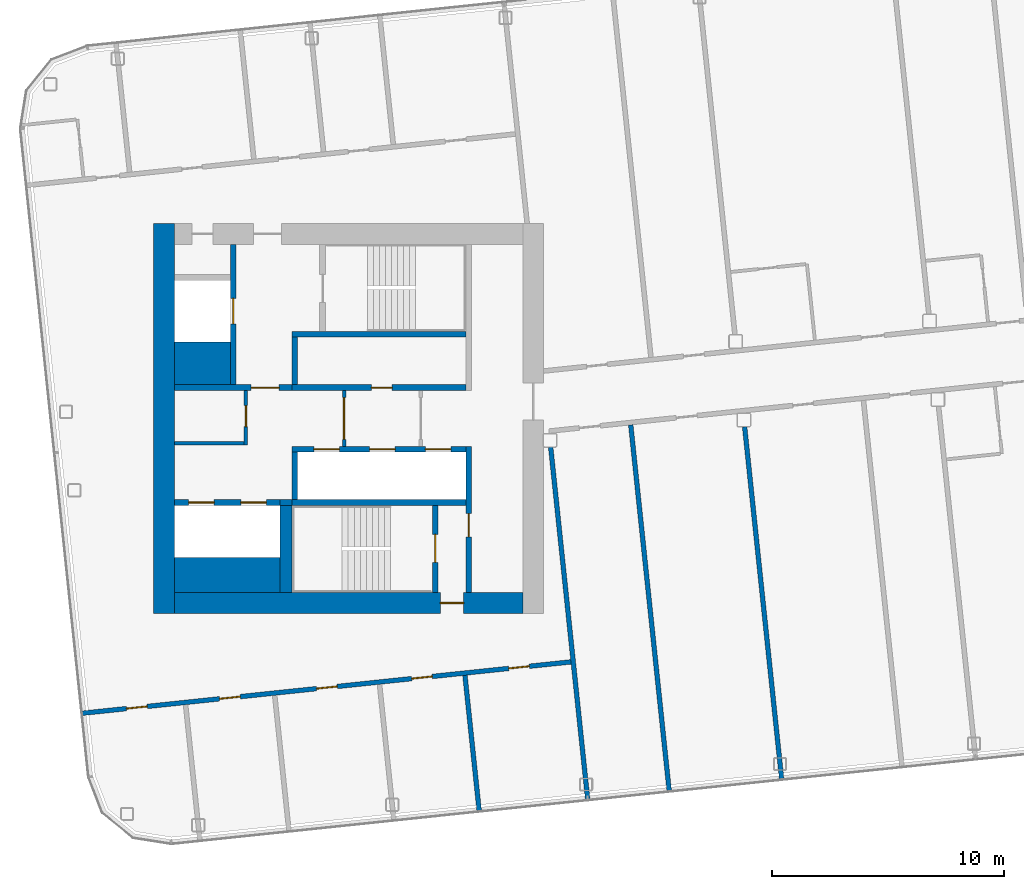
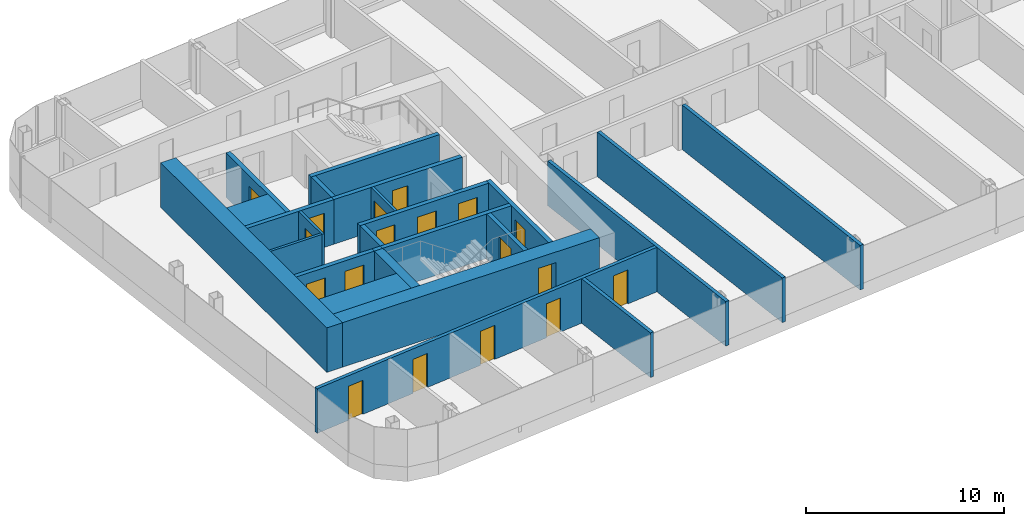
# One storey, part 14 of 27: 25 walls, 18 doors, 18 openings.
"""IFC4 building model written with IfcOpenShell, lengths in metres."""

from ifc_helpers import new_model, si_unit, direction, frame, frame_2d, origin, place, context, subcontext, project, spatial, rectangle, extrude, material, layer, layer_set, type_object, element, fill, save


model = new_model("IFC4")

# Units and contexts
model_context = context("Model", 3, precision=1e-05, world=origin(), true_north=direction((0.0, 1.0)))
body_context = subcontext(model_context, "Body", "Model", "MODEL_VIEW")
ifc_project = project(units=[si_unit("LENGTHUNIT", "METRE"), si_unit("AREAUNIT", "SQUARE_METRE"), si_unit("VOLUMEUNIT", "CUBIC_METRE"), si_unit("PLANEANGLEUNIT", "RADIAN"), si_unit("MASSUNIT", "GRAM", prefix="KILO")], contexts=[model_context])

# Site, building, storey
site_placement = place(None, origin())
site = spatial("IfcSite", under=ifc_project, at=site_placement, CompositionType="ELEMENT")
building_placement = place(site_placement, origin())
building = spatial("IfcBuilding", under=site, at=building_placement, Name="Hakoniwa Tower and Hamabe Station Hall", CompositionType="ELEMENT")
storey_placement = place(building_placement, frame((0.0, 0.0, 261.39990234375)))
storey = spatial("IfcBuildingStorey", under=building, at=storey_placement, Name="L74", CompositionType="ELEMENT", Elevation=261.39990234375)

# Wall, opening, door
ifc_material_1 = material(Name="Gypsum board partition")
ifc_layer_1 = layer(ifc_material_1, 0.14990234375)
ifc_layer_set_1 = layer_set([ifc_layer_1], Name="CORE PARTITION 150 EI 60")
wall_type_1 = type_object("IfcWallType", Name="CORE PARTITION 150 EI 60", PredefinedType="PARTITIONING", material=ifc_layer_set_1)
wall_1_placement = place(storey_placement, frame((-25.39990234375, -1.199951171875, 0.0), z_axis=(0.0, 0.0, 1.0), x_axis=(0.0, 1.0, 0.0)))
wall_1 = element("IfcWall", 1, at=wall_1_placement, inside=storey, type_object=wall_type_1, Name="Core partition PL1 west", PredefinedType="PARTITIONING", context=body_context, shape_type="SweptSolid", body=[
    extrude(rectangle(XDim=2.39990234375, YDim=0.14990234375, at=frame_2d((1.199951171875, 0.0))), origin(), (0.0, 0.0, 1.0), 2.75),
])
opening_1_placement = place(wall_1_placement, frame((0.300048828125, 0.0, 0.0)))
opening_1 = element("IfcOpeningElement", 2, at=opening_1_placement, cuts=wall_1, Name="Opening CD-W-LP1-18", PredefinedType="OPENING", context=body_context, shape_type="SweptSolid", body=[
    extrude(rectangle(XDim=1.800048828125, YDim=2.10009765625, at=frame_2d((0.89990234375, 1.050048828125))), frame((0.0, 0.0849609375, 0.0), z_axis=(0.0, -1.0, 0.0), x_axis=(1.0, 0.0, 0.0)), (0.0, 0.0, 1.0), 0.169921875),
])
ifc_material_2 = material(Name="Steel fire door", Category="steel")
door_type_1 = type_object("IfcDoorType", Name="CORE DOOR 1800 FD60", OperationType="DOUBLE_DOOR_SINGLE_SWING", PredefinedType="DOOR", material=ifc_material_2)
door_1_placement = place(opening_1_placement, origin())
door_1 = element("IfcDoor", 3, at=door_1_placement, inside=storey, type_object=door_type_1, Name="Lift lobby partition door", OperationType="DOUBLE_DOOR_SINGLE_SWING", OverallHeight=2.10009765625, OverallWidth=1.800048828125, PredefinedType="DOOR", context=body_context, shape_type="SweptSolid", body=[
    extrude(rectangle(XDim=1.800048828125, YDim=2.10009765625, at=frame_2d((0.89990234375, 1.050048828125))), frame((0.0, 0.02490234375, 0.0), z_axis=(0.0, -1.0, 0.0), x_axis=(1.0, 0.0, 0.0)), (0.0, 0.0, 1.0), 0.050048828125),
])
fill(opening_1, door_1)

wall_2_placement = place(storey_placement, frame((-29.625, -1.14990234375, 0.0), z_axis=(0.0, 0.0, 1.0), x_axis=(0.0, 1.0, 0.0)))
wall_2 = element("IfcWall", 4, at=wall_2_placement, inside=storey, type_object=wall_type_1, Name="Core partition PW0 west", PredefinedType="PARTITIONING", context=body_context, shape_type="SweptSolid", body=[
    extrude(rectangle(XDim=2.349853515625, YDim=0.14990234375, at=frame_2d((1.1748046875, 0.0))), origin(), (0.0, 0.0, 1.0), 2.75),
])
opening_2_placement = place(wall_2_placement, frame((0.800048828125, 0.0, 0.0)))
opening_2 = element("IfcOpeningElement", 5, at=opening_2_placement, cuts=wall_2, Name="Opening CD-W-RM1-9", PredefinedType="OPENING", context=body_context, shape_type="SweptSolid", body=[
    extrude(rectangle(XDim=0.89990234375, YDim=2.10009765625, at=frame_2d((0.449951171875, 1.050048828125))), frame((0.0, 0.0849609375, 0.0), z_axis=(0.0, -1.0, 0.0), x_axis=(1.0, 0.0, 0.0)), (0.0, 0.0, 1.0), 0.169921875),
])
ifc_material_3 = material(Name="Steel fire door", Category="steel")
door_type_2 = type_object("IfcDoorType", Name="CORE DOOR 900 FD30", OperationType="NOTDEFINED", PredefinedType="DOOR", material=ifc_material_3)
door_2_placement = place(opening_2_placement, origin())
door_2 = element("IfcDoor", 6, at=door_2_placement, inside=storey, type_object=door_type_2, Name="Store room door", OperationType="SINGLE_SWING_RIGHT", OverallHeight=2.10009765625, OverallWidth=0.89990234375, PredefinedType="DOOR", context=body_context, shape_type="SweptSolid", body=[
    extrude(rectangle(XDim=0.89990234375, YDim=2.10009765625, at=frame_2d((0.449951171875, 1.050048828125))), frame((0.0, 0.02490234375, 0.0), z_axis=(0.0, -1.0, 0.0), x_axis=(1.0, 0.0, 0.0)), (0.0, 0.0, 1.0), 0.050048828125),
])
fill(opening_2, door_2)

# Walls
wall_3_placement = place(storey_placement, frame((-32.699951171875, -1.074951171875, 0.0), z_axis=(0.0, 0.0, 1.0), x_axis=(1.0, 0.0, 0.0)))
element("IfcWall", 7, at=wall_3_placement, inside=storey, type_object=wall_type_1, Name="Core partition PS west", PredefinedType="PARTITIONING", context=body_context, shape_type="SweptSolid", body=[
    extrude(rectangle(XDim=3.0, YDim=0.14990234375, at=frame_2d((1.5, 0.0))), origin(), (0.0, 0.0, 1.0), 2.75),
])
ifc_material_4 = material(Name="Concrete C60", Category="concrete")
ifc_layer_2 = layer(ifc_material_4, 0.89990234375)
ifc_layer_set_2 = layer_set([ifc_layer_2], Name="CORE WALL 900 C60")
wall_type_2 = type_object("IfcWallType", Name="CORE WALL 900 C60", PredefinedType="SHEAR", material=ifc_layer_set_2)
wall_4_placement = place(storey_placement, frame((-33.14990234375, -8.39990234375, 0.0), z_axis=(0.0, 0.0, 1.0), x_axis=(0.0, 1.0, 0.0)))
element("IfcWall", 8, at=wall_4_placement, inside=storey, type_object=wall_type_2, Name="Core wall OUTER west", PredefinedType="SHEAR", context=body_context, shape_type="SweptSolid", body=[
    extrude(rectangle(XDim=16.7998046875, YDim=0.89990234375, at=frame_2d((8.39990234375, 0.0))), origin(), (0.0, 0.0, 1.0), 2.75),
])

# Wall, opening, door
wall_5_placement = place(storey_placement, frame((-32.699951171875, -7.949951171875, 0.0), z_axis=(0.0, 0.0, 1.0), x_axis=(1.0, 0.0, 0.0)))
wall_5 = element("IfcWall", 9, at=wall_5_placement, inside=storey, type_object=wall_type_2, Name="Core wall SOUTH west", PredefinedType="SHEAR", context=body_context, shape_type="SweptSolid", body=[
    extrude(rectangle(XDim=15.0, YDim=0.89990234375, at=frame_2d((7.5, 0.0))), origin(), (0.0, 0.0, 1.0), 2.75),
])
opening_3_placement = place(wall_5_placement, frame((11.449951171875, 0.0, 0.0)))
opening_3 = element("IfcOpeningElement", 10, at=opening_3_placement, cuts=wall_5, Name="Opening CD-W-FS3-10", PredefinedType="OPENING", context=body_context, shape_type="SweptSolid", body=[
    extrude(rectangle(XDim=1.0, YDim=2.10009765625, at=frame_2d((0.5, 1.050048828125))), frame((0.0, 0.4599609375, 0.0), z_axis=(0.0, -1.0, 0.0), x_axis=(1.0, 0.0, 0.0)), (0.0, 0.0, 1.0), 0.919921875),
])
ifc_material_5 = material(Name="Steel fire door", Category="steel")
door_type_3 = type_object("IfcDoorType", Name="CORE DOOR 1000 FD60", OperationType="NOTDEFINED", PredefinedType="DOOR", material=ifc_material_5)
door_3_placement = place(opening_3_placement, origin())
door_3 = element("IfcDoor", 11, at=door_3_placement, inside=storey, type_object=door_type_3, Name="Stair vestibule door", OperationType="SINGLE_SWING_RIGHT", OverallHeight=2.10009765625, OverallWidth=1.0, PredefinedType="DOOR", context=body_context, shape_type="SweptSolid", body=[
    extrude(rectangle(XDim=1.0, YDim=2.10009765625, at=frame_2d((0.5, 1.050048828125))), frame((0.0, 0.02490234375, 0.0), z_axis=(0.0, -1.0, 0.0), x_axis=(1.0, 0.0, 0.0)), (0.0, 0.0, 1.0), 0.050048828125),
])
fill(opening_3, door_3)

# Walls
ifc_material_6 = material(Name="Concrete C60", Category="concrete")
ifc_layer_3 = layer(ifc_material_6, 1.5)
ifc_layer_set_3 = layer_set([ifc_layer_3], Name="CORE WEB WALL 1500 C60")
wall_type_3 = type_object("IfcWallType", Name="CORE WEB WALL 1500 C60", PredefinedType="SHEAR", material=ifc_layer_set_3)
wall_6_placement = place(storey_placement, frame((-32.699951171875, -6.75, 0.0), z_axis=(0.0, 0.0, 1.0), x_axis=(1.0, 0.0, 0.0)))
element("IfcWall", 12, at=wall_6_placement, inside=storey, type_object=wall_type_3, Name="Core wall SER west", PredefinedType="SHEAR", context=body_context, shape_type="SweptSolid", body=[
    extrude(rectangle(XDim=4.550048828125, YDim=1.5, at=frame_2d((2.27490234375, 0.0))), origin(), (0.0, 0.0, 1.0), 2.75),
])
ifc_material_7 = material(Name="Concrete C60", Category="concrete")
ifc_layer_4 = layer(ifc_material_7, 1.85009765625)
ifc_layer_set_4 = layer_set([ifc_layer_4], Name="CORE WEB WALL 1850 C60")
wall_type_4 = type_object("IfcWallType", Name="CORE WEB WALL 1850 C60", PredefinedType="SHEAR", material=ifc_layer_set_4)
wall_7_placement = place(storey_placement, frame((-32.699951171875, 2.375, 0.0), z_axis=(0.0, 0.0, 1.0), x_axis=(1.0, 0.0, 0.0)))
element("IfcWall", 13, at=wall_7_placement, inside=storey, type_object=wall_type_4, Name="Core wall CA west", PredefinedType="SHEAR", context=body_context, shape_type="SweptSolid", body=[
    extrude(rectangle(XDim=2.39990234375, YDim=1.85009765625, at=frame_2d((1.199951171875, 0.0))), origin(), (0.0, 0.0, 1.0), 2.75),
])

# Wall, opening, door
ifc_material_8 = material(Name="Concrete C60", Category="concrete")
ifc_layer_5 = layer(ifc_material_8, 0.25)
ifc_layer_set_5 = layer_set([ifc_layer_5], Name="CORE WEB WALL 250 C60")
wall_type_5 = type_object("IfcWallType", Name="CORE WEB WALL 250 C60", PredefinedType="SHEAR", material=ifc_layer_set_5)
wall_8_placement = place(storey_placement, frame((-20.02490234375, -7.5, 0.0), z_axis=(0.0, 0.0, 1.0), x_axis=(0.0, 1.0, 0.0)))
wall_8 = element("IfcWall", 14, at=wall_8_placement, inside=storey, type_object=wall_type_5, Name="Core wall W1S west", PredefinedType="SHEAR", context=body_context, shape_type="SweptSolid", body=[
    extrude(rectangle(XDim=6.300048828125, YDim=0.25, at=frame_2d((3.14990234375, 0.0))), origin(), (0.0, 0.0, 1.0), 2.75),
])
opening_4_placement = place(wall_8_placement, frame((2.39990234375, 0.0, 0.0)))
opening_4 = element("IfcOpeningElement", 15, at=opening_4_placement, cuts=wall_8, Name="Opening CD-W-VS-10", PredefinedType="OPENING", context=body_context, shape_type="SweptSolid", body=[
    extrude(rectangle(XDim=1.0, YDim=2.10009765625, at=frame_2d((0.5, 1.050048828125))), frame((0.0, 0.135009765625, 0.0), z_axis=(0.0, -1.0, 0.0), x_axis=(1.0, 0.0, 0.0)), (0.0, 0.0, 1.0), 0.27001953125),
])
door_4_placement = place(opening_4_placement, origin())
door_4 = element("IfcDoor", 16, at=door_4_placement, inside=storey, type_object=door_type_3, Name="Stair vestibule door", OperationType="SINGLE_SWING_LEFT", OverallHeight=2.10009765625, OverallWidth=1.0, PredefinedType="DOOR", context=body_context, shape_type="SweptSolid", body=[
    extrude(rectangle(XDim=1.0, YDim=2.10009765625, at=frame_2d((0.5, 1.050048828125))), frame((0.0, 0.02490234375, 0.0), z_axis=(0.0, -1.0, 0.0), x_axis=(1.0, 0.0, 0.0)), (0.0, 0.0, 1.0), 0.050048828125),
])
fill(opening_4, door_4)

wall_9_placement = place(storey_placement, frame((-27.64990234375, 1.324951171875, 0.0), z_axis=(0.0, 0.0, 1.0), x_axis=(1.0, 0.0, 0.0)))
wall_9 = element("IfcWall", 17, at=wall_9_placement, inside=storey, type_object=wall_type_5, Name="Core wall NF west", PredefinedType="SHEAR", context=body_context, shape_type="SweptSolid", body=[
    extrude(rectangle(XDim=7.5, YDim=0.25, at=frame_2d((3.75, 0.0))), origin(), (0.0, 0.0, 1.0), 2.75),
])
opening_5_placement = place(wall_9_placement, frame((3.425048828125, 0.0, 0.0)))
opening_5 = element("IfcOpeningElement", 18, at=opening_5_placement, cuts=wall_9, Name="Opening CD-W-FRLR0-9", PredefinedType="OPENING", context=body_context, shape_type="SweptSolid", body=[
    extrude(rectangle(XDim=0.89990234375, YDim=2.10009765625, at=frame_2d((0.449951171875, 1.050048828125))), frame((0.0, 0.135009765625, 0.0), z_axis=(0.0, -1.0, 0.0), x_axis=(1.0, 0.0, 0.0)), (0.0, 0.0, 1.0), 0.27001953125),
])
door_5_placement = place(opening_5_placement, origin())
door_5 = element("IfcDoor", 19, at=door_5_placement, inside=storey, type_object=door_type_2, Name="Store room door", OperationType="SINGLE_SWING_LEFT", OverallHeight=2.10009765625, OverallWidth=0.89990234375, PredefinedType="DOOR", context=body_context, shape_type="SweptSolid", body=[
    extrude(rectangle(XDim=0.89990234375, YDim=2.10009765625, at=frame_2d((0.449951171875, 1.050048828125))), frame((0.0, 0.02490234375, 0.0), z_axis=(0.0, -1.0, 0.0), x_axis=(1.0, 0.0, 0.0)), (0.0, 0.0, 1.0), 0.050048828125),
])
fill(opening_5, door_5)

# Walls
wall_10_placement = place(storey_placement, frame((-27.52490234375, 1.449951171875, 0.0), z_axis=(0.0, 0.0, 1.0), x_axis=(0.0, 1.0, 0.0)))
element("IfcWall", 20, at=wall_10_placement, inside=storey, type_object=wall_type_5, Name="Core wall NE west", PredefinedType="SHEAR", context=body_context, shape_type="SweptSolid", body=[
    extrude(rectangle(XDim=2.050048828125, YDim=0.25, at=frame_2d((1.02490234375, 0.0))), origin(), (0.0, 0.0, 1.0), 2.75),
])
wall_11_placement = place(storey_placement, frame((-27.64990234375, 3.625, 0.0), z_axis=(0.0, 0.0, 1.0), x_axis=(1.0, 0.0, 0.0)))
element("IfcWall", 21, at=wall_11_placement, inside=storey, type_object=wall_type_5, Name="Core wall NR west", PredefinedType="SHEAR", context=body_context, shape_type="SweptSolid", body=[
    extrude(rectangle(XDim=7.5, YDim=0.25, at=frame_2d((3.75, 0.0))), origin(), (0.0, 0.0, 1.0), 2.75),
])

# Wall, opening, door
wall_12_placement = place(storey_placement, frame((-32.699951171875, 1.324951171875, 0.0), z_axis=(0.0, 0.0, 1.0), x_axis=(1.0, 0.0, 0.0)))
wall_12 = element("IfcWall", 22, at=wall_12_placement, inside=storey, type_object=wall_type_5, Name="Core wall ELN west", PredefinedType="SHEAR", context=body_context, shape_type="SweptSolid", body=[
    extrude(rectangle(XDim=5.050048828125, YDim=0.25, at=frame_2d((2.52490234375, 0.0))), origin(), (0.0, 0.0, 1.0), 2.75),
])
opening_6_placement = place(wall_12_placement, frame((3.300048828125, 0.0, 0.0)))
opening_6 = element("IfcOpeningElement", 23, at=opening_6_placement, cuts=wall_12, Name="Opening CD-W-FL-12", PredefinedType="OPENING", context=body_context, shape_type="SweptSolid", body=[
    extrude(rectangle(XDim=1.199951171875, YDim=2.10009765625, at=frame_2d((0.60009765625, 1.050048828125))), frame((0.0, 0.135009765625, 0.0), z_axis=(0.0, -1.0, 0.0), x_axis=(1.0, 0.0, 0.0)), (0.0, 0.0, 1.0), 0.27001953125),
])
ifc_material_9 = material(Name="Steel fire door", Category="steel")
door_type_4 = type_object("IfcDoorType", Name="CORE DOOR 1200 FD60", OperationType="DOUBLE_DOOR_SINGLE_SWING", PredefinedType="DOOR", material=ifc_material_9)
door_6_placement = place(opening_6_placement, origin())
door_6 = element("IfcDoor", 24, at=door_6_placement, inside=storey, type_object=door_type_4, Name="Stair vestibule door to the fire-fighting lobby", OperationType="DOUBLE_DOOR_SINGLE_SWING", OverallHeight=2.10009765625, OverallWidth=1.199951171875, PredefinedType="DOOR", context=body_context, shape_type="SweptSolid", body=[
    extrude(rectangle(XDim=1.199951171875, YDim=2.10009765625, at=frame_2d((0.60009765625, 1.050048828125))), frame((0.0, 0.02490234375, 0.0), z_axis=(0.0, -1.0, 0.0), x_axis=(1.0, 0.0, 0.0)), (0.0, 0.0, 1.0), 0.050048828125),
])
fill(opening_6, door_6)

wall_13_placement = place(storey_placement, frame((-30.175048828125, 1.449951171875, 0.0), z_axis=(0.0, 0.0, 1.0), x_axis=(0.0, 1.0, 0.0)))
wall_13 = element("IfcWall", 25, at=wall_13_placement, inside=storey, type_object=wall_type_5, Name="Core wall FFF west", PredefinedType="SHEAR", context=body_context, shape_type="SweptSolid", body=[
    extrude(rectangle(XDim=6.050048828125, YDim=0.25, at=frame_2d((3.02490234375, 0.0))), origin(), (0.0, 0.0, 1.0), 2.75),
])
opening_7_placement = place(wall_13_placement, frame((2.625, 0.0, 0.0)))
opening_7 = element("IfcOpeningElement", 26, at=opening_7_placement, cuts=wall_13, Name="Opening LD-FF1", PredefinedType="OPENING", context=body_context, shape_type="SweptSolid", body=[
    extrude(rectangle(XDim=1.10009765625, YDim=2.10009765625, at=frame_2d((0.550048828125, 1.050048828125))), frame((0.0, 0.135009765625, 0.0), z_axis=(0.0, -1.0, 0.0), x_axis=(1.0, 0.0, 0.0)), (0.0, 0.0, 1.0), 0.27001953125),
])
ifc_material_10 = material(Name="Stainless steel SUS304", Category="steel")
door_type_5 = type_object("IfcDoorType", Name="LIFT LANDING DOOR 1100 FD60", OperationType="DOUBLE_DOOR_SLIDING", PredefinedType="DOOR", material=ifc_material_10)
door_7_placement = place(opening_7_placement, origin())
door_7 = element("IfcDoor", 27, at=door_7_placement, inside=storey, type_object=door_type_5, Name="Lift landing door FF1 L74", OperationType="DOUBLE_DOOR_SLIDING", OverallHeight=2.10009765625, OverallWidth=1.10009765625, PredefinedType="DOOR", context=body_context, shape_type="SweptSolid", body=[
    extrude(rectangle(XDim=1.10009765625, YDim=2.10009765625, at=frame_2d((0.550048828125, 1.050048828125))), frame((0.0, 0.02490234375, 0.0), z_axis=(0.0, -1.0, 0.0), x_axis=(1.0, 0.0, 0.0)), (0.0, 0.0, 1.0), 0.050048828125),
])
fill(opening_7, door_7)

# Wall, openings, doors
wall_14_placement = place(storey_placement, frame((-27.64990234375, -1.324951171875, 0.0), z_axis=(0.0, 0.0, 1.0), x_axis=(1.0, 0.0, 0.0)))
wall_14 = element("IfcWall", 28, at=wall_14_placement, inside=storey, type_object=wall_type_5, Name="Core wall SF west", PredefinedType="SHEAR", context=body_context, shape_type="SweptSolid", body=[
    extrude(rectangle(XDim=7.5, YDim=0.25, at=frame_2d((3.75, 0.0))), origin(), (0.0, 0.0, 1.0), 2.75),
])
opening_8_placement = place(wall_14_placement, frame((5.75, 0.0, 0.0)))
opening_8 = element("IfcOpeningElement", 29, at=opening_8_placement, cuts=wall_14, Name="Opening LD-HR1", PredefinedType="OPENING", context=body_context, shape_type="SweptSolid", body=[
    extrude(rectangle(XDim=1.10009765625, YDim=2.10009765625, at=frame_2d((0.550048828125, 1.050048828125))), frame((0.0, 0.135009765625, 0.0), z_axis=(0.0, -1.0, 0.0), x_axis=(1.0, 0.0, 0.0)), (0.0, 0.0, 1.0), 0.27001953125),
])
opening_9_placement = place(wall_14_placement, frame((3.35009765625, 0.0, 0.0)))
opening_9 = element("IfcOpeningElement", 30, at=opening_9_placement, cuts=wall_14, Name="Opening LD-HR2", PredefinedType="OPENING", context=body_context, shape_type="SweptSolid", body=[
    extrude(rectangle(XDim=1.10009765625, YDim=2.10009765625, at=frame_2d((0.550048828125, 1.050048828125))), frame((0.0, 0.135009765625, 0.0), z_axis=(0.0, -1.0, 0.0), x_axis=(1.0, 0.0, 0.0)), (0.0, 0.0, 1.0), 0.27001953125),
])
opening_10_placement = place(wall_14_placement, frame((0.949951171875, 0.0, 0.0)))
opening_10 = element("IfcOpeningElement", 31, at=opening_10_placement, cuts=wall_14, Name="Opening LD-HR3", PredefinedType="OPENING", context=body_context, shape_type="SweptSolid", body=[
    extrude(rectangle(XDim=1.10009765625, YDim=2.10009765625, at=frame_2d((0.550048828125, 1.050048828125))), frame((0.0, 0.135009765625, 0.0), z_axis=(0.0, -1.0, 0.0), x_axis=(1.0, 0.0, 0.0)), (0.0, 0.0, 1.0), 0.27001953125),
])
door_8_placement = place(opening_8_placement, origin())
door_8 = element("IfcDoor", 32, at=door_8_placement, inside=storey, type_object=door_type_5, Name="Lift landing door HR1 L74", OperationType="DOUBLE_DOOR_SLIDING", OverallHeight=2.10009765625, OverallWidth=1.10009765625, PredefinedType="DOOR", context=body_context, shape_type="SweptSolid", body=[
    extrude(rectangle(XDim=1.10009765625, YDim=2.10009765625, at=frame_2d((0.550048828125, 1.050048828125))), frame((0.0, 0.02490234375, 0.0), z_axis=(0.0, -1.0, 0.0), x_axis=(1.0, 0.0, 0.0)), (0.0, 0.0, 1.0), 0.050048828125),
])
fill(opening_8, door_8)
door_9_placement = place(opening_9_placement, origin())
door_9 = element("IfcDoor", 33, at=door_9_placement, inside=storey, type_object=door_type_5, Name="Lift landing door HR2 L74", OperationType="DOUBLE_DOOR_SLIDING", OverallHeight=2.10009765625, OverallWidth=1.10009765625, PredefinedType="DOOR", context=body_context, shape_type="SweptSolid", body=[
    extrude(rectangle(XDim=1.10009765625, YDim=2.10009765625, at=frame_2d((0.550048828125, 1.050048828125))), frame((0.0, 0.02490234375, 0.0), z_axis=(0.0, -1.0, 0.0), x_axis=(1.0, 0.0, 0.0)), (0.0, 0.0, 1.0), 0.050048828125),
])
fill(opening_9, door_9)
door_10_placement = place(opening_10_placement, origin())
door_10 = element("IfcDoor", 34, at=door_10_placement, inside=storey, type_object=door_type_5, Name="Lift landing door HR3 L74", OperationType="DOUBLE_DOOR_SLIDING", OverallHeight=2.10009765625, OverallWidth=1.10009765625, PredefinedType="DOOR", context=body_context, shape_type="SweptSolid", body=[
    extrude(rectangle(XDim=1.10009765625, YDim=2.10009765625, at=frame_2d((0.550048828125, 1.050048828125))), frame((0.0, 0.02490234375, 0.0), z_axis=(0.0, -1.0, 0.0), x_axis=(1.0, 0.0, 0.0)), (0.0, 0.0, 1.0), 0.050048828125),
])
fill(opening_10, door_10)

# Walls
wall_15_placement = place(storey_placement, frame((-27.52490234375, -3.5, 0.0), z_axis=(0.0, 0.0, 1.0), x_axis=(0.0, 1.0, 0.0)))
element("IfcWall", 35, at=wall_15_placement, inside=storey, type_object=wall_type_5, Name="Core wall SE west", PredefinedType="SHEAR", context=body_context, shape_type="SweptSolid", body=[
    extrude(rectangle(XDim=2.050048828125, YDim=0.25, at=frame_2d((1.02490234375, 0.0))), origin(), (0.0, 0.0, 1.0), 2.75),
])
wall_16_placement = place(storey_placement, frame((-27.64990234375, -3.625, 0.0), z_axis=(0.0, 0.0, 1.0), x_axis=(1.0, 0.0, 0.0)))
element("IfcWall", 36, at=wall_16_placement, inside=storey, type_object=wall_type_5, Name="Core wall SR west", PredefinedType="SHEAR", context=body_context, shape_type="SweptSolid", body=[
    extrude(rectangle(XDim=7.5, YDim=0.25, at=frame_2d((3.75, 0.0))), origin(), (0.0, 0.0, 1.0), 2.75),
])

# Wall, opening, door
wall_17_placement = place(storey_placement, frame((-21.47509765625, -7.5, 0.0), z_axis=(0.0, 0.0, 1.0), x_axis=(0.0, 1.0, 0.0)))
wall_17 = element("IfcWall", 37, at=wall_17_placement, inside=storey, type_object=wall_type_5, Name="Core wall VE west", PredefinedType="SHEAR", context=body_context, shape_type="SweptSolid", body=[
    extrude(rectangle(XDim=3.75, YDim=0.25, at=frame_2d((1.875, 0.0))), origin(), (0.0, 0.0, 1.0), 2.75),
])
opening_11_placement = place(wall_17_placement, frame((1.300048828125, 0.0, 0.0)))
opening_11 = element("IfcOpeningElement", 38, at=opening_11_placement, cuts=wall_17, Name="Opening CD-W-SS-12", PredefinedType="OPENING", context=body_context, shape_type="SweptSolid", body=[
    extrude(rectangle(XDim=1.199951171875, YDim=2.10009765625, at=frame_2d((0.60009765625, 1.050048828125))), frame((0.0, 0.135009765625, 0.0), z_axis=(0.0, -1.0, 0.0), x_axis=(1.0, 0.0, 0.0)), (0.0, 0.0, 1.0), 0.27001953125),
])
door_11_placement = place(opening_11_placement, origin())
door_11 = element("IfcDoor", 39, at=door_11_placement, inside=storey, type_object=door_type_4, Name="Escape stair door", OperationType="DOUBLE_DOOR_SINGLE_SWING", OverallHeight=2.10009765625, OverallWidth=1.199951171875, PredefinedType="DOOR", context=body_context, shape_type="SweptSolid", body=[
    extrude(rectangle(XDim=1.199951171875, YDim=2.10009765625, at=frame_2d((0.60009765625, 1.050048828125))), frame((0.0, 0.02490234375, 0.0), z_axis=(0.0, -1.0, 0.0), x_axis=(1.0, 0.0, 0.0)), (0.0, 0.0, 1.0), 0.050048828125),
])
fill(opening_11, door_11)

# Wall, openings, doors
wall_18_placement = place(storey_placement, frame((-32.699951171875, -3.625, 0.0), z_axis=(0.0, 0.0, 1.0), x_axis=(1.0, 0.0, 0.0)))
wall_18 = element("IfcWall", 40, at=wall_18_placement, inside=storey, type_object=wall_type_5, Name="Core wall SEF west", PredefinedType="SHEAR", context=body_context, shape_type="SweptSolid", body=[
    extrude(rectangle(XDim=4.550048828125, YDim=0.25, at=frame_2d((2.27490234375, 0.0))), origin(), (0.0, 0.0, 1.0), 2.75),
])
opening_12_placement = place(wall_18_placement, frame((2.85009765625, 0.0, 0.0)))
opening_12 = element("IfcOpeningElement", 41, at=opening_12_placement, cuts=wall_18, Name="Opening LD-SV1", PredefinedType="OPENING", context=body_context, shape_type="SweptSolid", body=[
    extrude(rectangle(XDim=1.10009765625, YDim=2.10009765625, at=frame_2d((0.550048828125, 1.050048828125))), frame((0.0, 0.135009765625, 0.0), z_axis=(0.0, -1.0, 0.0), x_axis=(1.0, 0.0, 0.0)), (0.0, 0.0, 1.0), 0.27001953125),
])
opening_13_placement = place(wall_18_placement, frame((0.60009765625, 0.0, 0.0)))
opening_13 = element("IfcOpeningElement", 42, at=opening_13_placement, cuts=wall_18, Name="Opening LD-SV2", PredefinedType="OPENING", context=body_context, shape_type="SweptSolid", body=[
    extrude(rectangle(XDim=1.10009765625, YDim=2.10009765625, at=frame_2d((0.550048828125, 1.050048828125))), frame((0.0, 0.135009765625, 0.0), z_axis=(0.0, -1.0, 0.0), x_axis=(1.0, 0.0, 0.0)), (0.0, 0.0, 1.0), 0.27001953125),
])
door_12_placement = place(opening_12_placement, origin())
door_12 = element("IfcDoor", 43, at=door_12_placement, inside=storey, type_object=door_type_5, Name="Lift landing door SV1 L74", OperationType="DOUBLE_DOOR_SLIDING", OverallHeight=2.10009765625, OverallWidth=1.10009765625, PredefinedType="DOOR", context=body_context, shape_type="SweptSolid", body=[
    extrude(rectangle(XDim=1.10009765625, YDim=2.10009765625, at=frame_2d((0.550048828125, 1.050048828125))), frame((0.0, 0.02490234375, 0.0), z_axis=(0.0, -1.0, 0.0), x_axis=(1.0, 0.0, 0.0)), (0.0, 0.0, 1.0), 0.050048828125),
])
fill(opening_12, door_12)
door_13_placement = place(opening_13_placement, origin())
door_13 = element("IfcDoor", 44, at=door_13_placement, inside=storey, type_object=door_type_5, Name="Lift landing door SV2 L74", OperationType="DOUBLE_DOOR_SLIDING", OverallHeight=2.10009765625, OverallWidth=1.10009765625, PredefinedType="DOOR", context=body_context, shape_type="SweptSolid", body=[
    extrude(rectangle(XDim=1.10009765625, YDim=2.10009765625, at=frame_2d((0.550048828125, 1.050048828125))), frame((0.0, 0.02490234375, 0.0), z_axis=(0.0, -1.0, 0.0), x_axis=(1.0, 0.0, 0.0)), (0.0, 0.0, 1.0), 0.050048828125),
])
fill(opening_13, door_13)

# Walls
wall_19_placement = place(storey_placement, frame((-28.14990234375, -3.625, 0.0), z_axis=(0.0, 0.0, 1.0), x_axis=(1.0, 0.0, 0.0)))
element("IfcWall", 45, at=wall_19_placement, inside=storey, type_object=wall_type_5, Name="Core wall SRK west", PredefinedType="SHEAR", context=body_context, shape_type="SweptSolid", body=[
    extrude(rectangle(XDim=0.5, YDim=0.25, at=frame_2d((0.25, 0.0))), origin(), (0.0, 0.0, 1.0), 2.75),
])
ifc_material_11 = material(Name="Concrete C60", Category="concrete")
ifc_layer_6 = layer(ifc_material_11, 0.5)
ifc_layer_set_6 = layer_set([ifc_layer_6], Name="CORE WEB WALL 500 C60")
wall_type_6 = type_object("IfcWallType", Name="CORE WEB WALL 500 C60", PredefinedType="SHEAR", material=ifc_layer_set_6)
wall_20_placement = place(storey_placement, frame((-27.89990234375, -7.5, 0.0), z_axis=(0.0, 0.0, 1.0), x_axis=(0.0, 1.0, 0.0)))
element("IfcWall", 46, at=wall_20_placement, inside=storey, type_object=wall_type_6, Name="Core wall SSE west", PredefinedType="SHEAR", context=body_context, shape_type="SweptSolid", body=[
    extrude(rectangle(XDim=3.75, YDim=0.5, at=frame_2d((1.875, 0.0))), origin(), (0.0, 0.0, 1.0), 2.75),
])

# Wall, openings, doors
ifc_material_12 = material(Name="Fire-rated gypsum board partition", Category="gypsum")
ifc_layer_7 = layer(ifc_material_12, 0.199951171875)
ifc_layer_set_7 = layer_set([ifc_layer_7], Name="Corridor Wall 200")
wall_type_7 = type_object("IfcWallType", Name="Corridor Wall 200", PredefinedType="PARTITIONING", material=ifc_layer_set_7)
wall_21_placement = place(storey_placement, frame((-36.711669921875, -12.704833984375, 0.0), z_axis=(0.0, 0.0, 1.0), x_axis=(0.994522460242, 0.104523088709, 0.0)))
wall_21 = element("IfcWall", 47, at=wall_21_placement, inside=storey, type_object=wall_type_7, Name="GW-L74-002", PredefinedType="PARTITIONING", context=body_context, shape_type="SweptSolid", body=[
    extrude(rectangle(XDim=21.2998046875, YDim=0.199951171875, at=frame_2d((10.64990234375, 0.0))), origin(), (0.0, 0.0, 1.0), 2.75),
])
opening_14_placement = place(wall_21_placement, frame((1.949951171875, 0.0, 0.0)))
opening_14 = element("IfcOpeningElement", 48, at=opening_14_placement, cuts=wall_21, Name="Opening GD-G5D1-01", PredefinedType="OPENING", context=body_context, shape_type="SweptSolid", body=[
    extrude(rectangle(XDim=0.89990234375, YDim=2.10009765625, at=frame_2d((0.449951171875, 1.050048828125))), frame((0.0, 0.10986328125, 0.0), z_axis=(0.0, -1.0, 0.0), x_axis=(1.0, 0.0, 0.0)), (0.0, 0.0, 1.0), 0.219970703125),
])
opening_15_placement = place(wall_21_placement, frame((5.97998046875, 0.0, 0.0)))
opening_15 = element("IfcOpeningElement", 49, at=opening_15_placement, cuts=wall_21, Name="Opening GD-G5D1-02", PredefinedType="OPENING", context=body_context, shape_type="SweptSolid", body=[
    extrude(rectangle(XDim=0.89990234375, YDim=2.10009765625, at=frame_2d((0.449951171875, 1.050048828125))), frame((0.0, 0.10986328125, 0.0), z_axis=(0.0, -1.0, 0.0), x_axis=(1.0, 0.0, 0.0)), (0.0, 0.0, 1.0), 0.219970703125),
])
opening_16_placement = place(wall_21_placement, frame((10.179931640625, 0.0, 0.0)))
opening_16 = element("IfcOpeningElement", 50, at=opening_16_placement, cuts=wall_21, Name="Opening GD-G5D1-03", PredefinedType="OPENING", context=body_context, shape_type="SweptSolid", body=[
    extrude(rectangle(XDim=0.89990234375, YDim=2.10009765625, at=frame_2d((0.449951171875, 1.050048828125))), frame((0.0, 0.10986328125, 0.0), z_axis=(0.0, -1.0, 0.0), x_axis=(1.0, 0.0, 0.0)), (0.0, 0.0, 1.0), 0.219970703125),
])
opening_17_placement = place(wall_21_placement, frame((14.300048828125, 0.0, 0.0)))
opening_17 = element("IfcOpeningElement", 51, at=opening_17_placement, cuts=wall_21, Name="Opening GD-G5D1-04", PredefinedType="OPENING", context=body_context, shape_type="SweptSolid", body=[
    extrude(rectangle(XDim=0.89990234375, YDim=2.10009765625, at=frame_2d((0.449951171875, 1.050048828125))), frame((0.0, 0.10986328125, 0.0), z_axis=(0.0, -1.0, 0.0), x_axis=(1.0, 0.0, 0.0)), (0.0, 0.0, 1.0), 0.219970703125),
])
opening_18_placement = place(wall_21_placement, frame((18.5, 0.0, 0.0)))
opening_18 = element("IfcOpeningElement", 52, at=opening_18_placement, cuts=wall_21, Name="Opening GD-G5D1-05", PredefinedType="OPENING", context=body_context, shape_type="SweptSolid", body=[
    extrude(rectangle(XDim=0.89990234375, YDim=2.10009765625, at=frame_2d((0.449951171875, 1.050048828125))), frame((0.0, 0.10986328125, 0.0), z_axis=(0.0, -1.0, 0.0), x_axis=(1.0, 0.0, 0.0)), (0.0, 0.0, 1.0), 0.219970703125),
])
ifc_material_13 = material(Name="Timber door leaf", Category="wood")
door_type_6 = type_object("IfcDoorType", Name="Service Door 900", OperationType="SINGLE_SWING_LEFT", PredefinedType="DOOR", material=ifc_material_13)
door_14_placement = place(opening_14_placement, origin())
door_14 = element("IfcDoor", 53, at=door_14_placement, inside=storey, type_object=door_type_6, Name="Door GD-G5D1-01", OperationType="SINGLE_SWING_RIGHT", OverallHeight=2.10009765625, OverallWidth=0.89990234375, PredefinedType="DOOR", context=body_context, shape_type="SweptSolid", body=[
    extrude(rectangle(XDim=0.89990234375, YDim=2.10009765625, at=frame_2d((0.449951171875, 1.050048828125))), frame((0.0, 0.02490234375, 0.0), z_axis=(0.0, -1.0, 0.0), x_axis=(1.0, 0.0, 0.0)), (0.0, 0.0, 1.0), 0.050048828125),
])
fill(opening_14, door_14)
door_15_placement = place(opening_15_placement, origin())
door_15 = element("IfcDoor", 54, at=door_15_placement, inside=storey, type_object=door_type_6, Name="Door GD-G5D1-02", OperationType="SINGLE_SWING_LEFT", OverallHeight=2.10009765625, OverallWidth=0.89990234375, PredefinedType="DOOR", context=body_context, shape_type="SweptSolid", body=[
    extrude(rectangle(XDim=0.89990234375, YDim=2.10009765625, at=frame_2d((0.449951171875, 1.050048828125))), frame((0.0, 0.02490234375, 0.0), z_axis=(0.0, -1.0, 0.0), x_axis=(1.0, 0.0, 0.0)), (0.0, 0.0, 1.0), 0.050048828125),
])
fill(opening_15, door_15)
door_16_placement = place(opening_16_placement, origin())
door_16 = element("IfcDoor", 55, at=door_16_placement, inside=storey, type_object=door_type_6, Name="Door GD-G5D1-03", OperationType="SINGLE_SWING_RIGHT", OverallHeight=2.10009765625, OverallWidth=0.89990234375, PredefinedType="DOOR", context=body_context, shape_type="SweptSolid", body=[
    extrude(rectangle(XDim=0.89990234375, YDim=2.10009765625, at=frame_2d((0.449951171875, 1.050048828125))), frame((0.0, 0.02490234375, 0.0), z_axis=(0.0, -1.0, 0.0), x_axis=(1.0, 0.0, 0.0)), (0.0, 0.0, 1.0), 0.050048828125),
])
fill(opening_16, door_16)
door_17_placement = place(opening_17_placement, origin())
door_17 = element("IfcDoor", 56, at=door_17_placement, inside=storey, type_object=door_type_6, Name="Door GD-G5D1-04", OperationType="SINGLE_SWING_LEFT", OverallHeight=2.10009765625, OverallWidth=0.89990234375, PredefinedType="DOOR", context=body_context, shape_type="SweptSolid", body=[
    extrude(rectangle(XDim=0.89990234375, YDim=2.10009765625, at=frame_2d((0.449951171875, 1.050048828125))), frame((0.0, 0.02490234375, 0.0), z_axis=(0.0, -1.0, 0.0), x_axis=(1.0, 0.0, 0.0)), (0.0, 0.0, 1.0), 0.050048828125),
])
fill(opening_17, door_17)
door_18_placement = place(opening_18_placement, origin())
door_18 = element("IfcDoor", 57, at=door_18_placement, inside=storey, type_object=door_type_6, Name="Door GD-G5D1-05", OperationType="SINGLE_SWING_RIGHT", OverallHeight=2.10009765625, OverallWidth=0.89990234375, PredefinedType="DOOR", context=body_context, shape_type="SweptSolid", body=[
    extrude(rectangle(XDim=0.89990234375, YDim=2.10009765625, at=frame_2d((0.449951171875, 1.050048828125))), frame((0.0, 0.02490234375, 0.0), z_axis=(0.0, -1.0, 0.0), x_axis=(1.0, 0.0, 0.0)), (0.0, 0.0, 1.0), 0.050048828125),
])
fill(opening_18, door_18)

# Walls
ifc_material_14 = material(Name="Fire-rated gypsum board partition", Category="gypsum")
ifc_layer_8 = layer(ifc_material_14, 0.199951171875)
ifc_layer_set_8 = layer_set([ifc_layer_8], Name="Party Wall 200")
wall_type_8 = type_object("IfcWallType", Name="Party Wall 200", PredefinedType="PARTITIONING", material=ifc_layer_set_8)
wall_22_placement = place(storey_placement, frame((-19.573974609375, -16.95263671875, 0.0), z_axis=(0.0, 0.0, 1.0), x_axis=(-0.104491443182, 0.994525785639, 0.0)))
element("IfcWall", 58, at=wall_22_placement, inside=storey, type_object=wall_type_8, Name="GW-L74-022", PredefinedType="PARTITIONING", context=body_context, shape_type="SweptSolid", body=[
    extrude(rectangle(XDim=5.916015625, YDim=0.199951171875, at=frame_2d((2.9580078125, 0.0))), origin(), (0.0, 0.0, 1.0), 2.75),
])
wall_23_placement = place(storey_placement, frame((-14.899658203125, -16.46142578125, 0.0), z_axis=(0.0, 0.0, 1.0), x_axis=(-0.104523729364, 0.99452239291, 0.0)))
element("IfcWall", 59, at=wall_23_placement, inside=storey, type_object=wall_type_8, Name="GW-L74-023", PredefinedType="PARTITIONING", context=body_context, shape_type="SweptSolid", body=[
    extrude(rectangle(XDim=15.308349609375, YDim=0.199951171875, at=frame_2d((7.654296875, 0.0))), origin(), (0.0, 0.0, 1.0), 2.75),
])
wall_24_placement = place(storey_placement, frame((-11.388916015625, -16.09228515625, 0.0), z_axis=(0.0, 0.0, 1.0), x_axis=(-0.104536114326, 0.99452109118, 0.0)))
element("IfcWall", 60, at=wall_24_placement, inside=storey, type_object=wall_type_8, Name="GW-L74-025", PredefinedType="PARTITIONING", context=body_context, shape_type="SweptSolid", body=[
    extrude(rectangle(XDim=15.89990234375, YDim=0.199951171875, at=frame_2d((7.949951171875, 0.0))), origin(), (0.0, 0.0, 1.0), 2.75),
])
wall_25_placement = place(storey_placement, frame((-6.545654296875, -15.583251953125, 0.0), z_axis=(0.0, 0.0, 1.0), x_axis=(-0.104523729364, 0.99452239291, 0.0)))
element("IfcWall", 61, at=wall_25_placement, inside=storey, type_object=wall_type_8, Name="GW-L74-027", PredefinedType="PARTITIONING", context=body_context, shape_type="SweptSolid", body=[
    extrude(rectangle(XDim=15.308349609375, YDim=0.199951171875, at=frame_2d((7.654296875, 0.0))), origin(), (0.0, 0.0, 1.0), 2.75),
])

save(model, "model.ifc")
